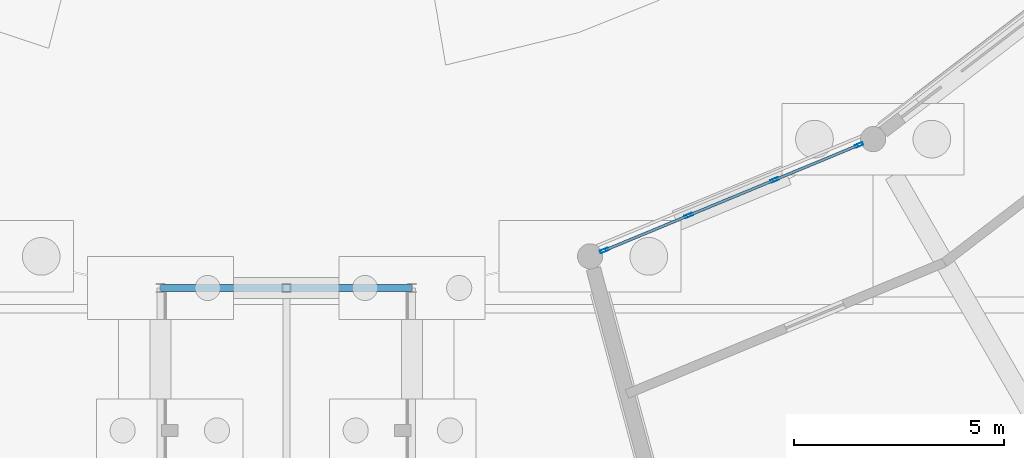
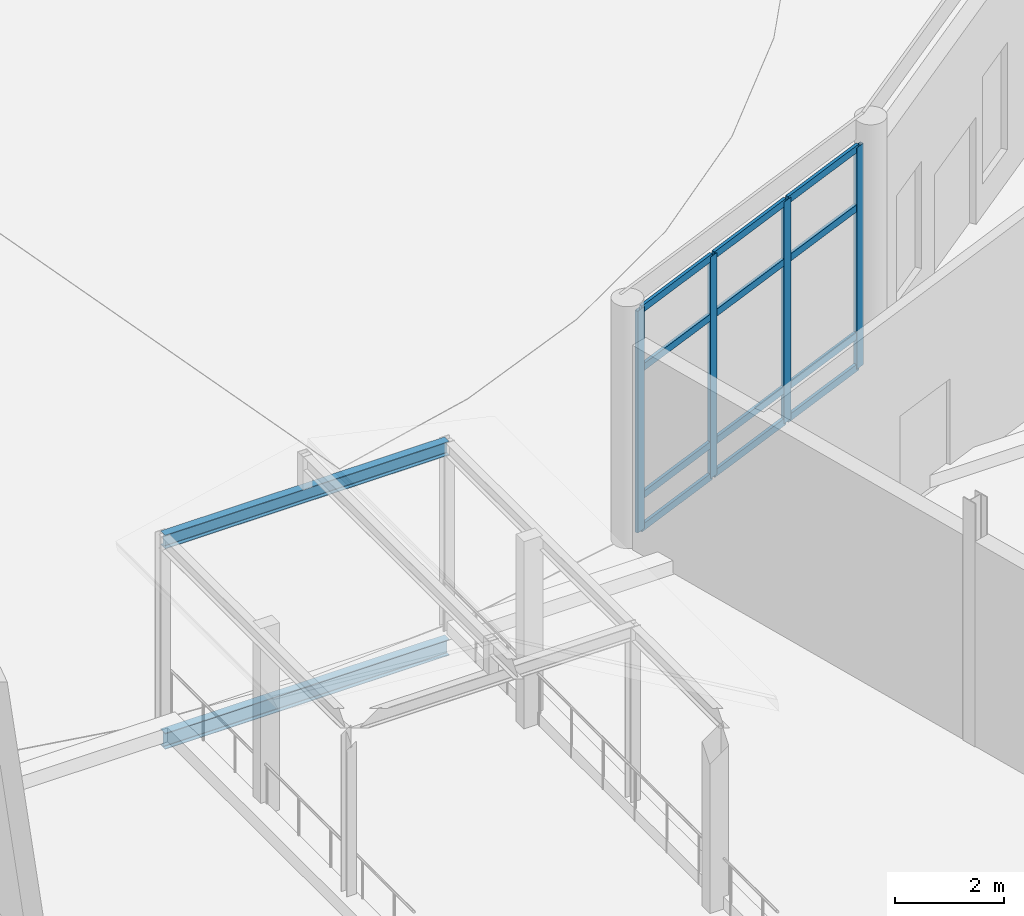
# One storey, part 42 of 137: 16 members, 2 beams, 1 element without a shape of its own.
"""IFC4 building model written with IfcOpenShell, lengths in metres."""

from ifc_helpers import new_model, si_unit, direction, frame, origin, origin_2d, place, context, subcontext, project, spatial, hollow_rectangle, i_section, extrude, material, material_profile, profile_set, type_object, element, aggregate, save


model = new_model("IFC4")

# Units and contexts
model_context = context("Model", 3, precision=1e-05, world=origin(), true_north=direction((0.0, 1.0)))
body_context = subcontext(model_context, "Body", "Model", "MODEL_VIEW")
ifc_project = project(units=[si_unit("LENGTHUNIT", "METRE"), si_unit("AREAUNIT", "SQUARE_METRE"), si_unit("VOLUMEUNIT", "CUBIC_METRE"), si_unit("PLANEANGLEUNIT", "RADIAN"), si_unit("MASSUNIT", "GRAM", prefix="KILO")], contexts=[model_context])

# Site, building, storey
site_placement = place(None, origin())
site = spatial("IfcSite", under=ifc_project, at=site_placement, CompositionType="ELEMENT")
building_placement = place(site_placement, origin())
building = spatial("IfcBuilding", under=site, at=building_placement, Name="Vondelvale Polytechnic", CompositionType="ELEMENT")
storey_placement = place(building_placement, origin())
storey = spatial("IfcBuildingStorey", under=building, at=storey_placement, Name="L00", CompositionType="ELEMENT", Elevation=0.0)

# Beams
ifc_material_1 = material(Name="Steel 300PLUS (fy = 300 MPa)", Category="steel")
ifc_material_profile_1 = material_profile(ifc_material_1, i_section(OverallWidth=0.166015625, OverallDepth=0.306884765625, WebThickness=0.006591796875, FlangeThickness=0.01171875, FilletRadius=0.011474609375, at=origin_2d()), Name="310UB46.2")
ifc_profile_set_1 = profile_set([ifc_material_profile_1], Name="Steel 300PLUS (fy = 300 MPa)")
beam_type_1 = type_object("IfcBeamType", Name="BM-UB310H", PredefinedType="BEAM", material=ifc_profile_set_1)
beam_1_placement = place(storey_placement, frame((99.0, 44.199951171875, 4.026611328125), z_axis=(1.0, 0.0, 0.0), x_axis=(0.0, 1.0, 0.0)))
element("IfcBeam", 1, at=beam_1_placement, inside=storey, type_object=beam_type_1, Name="L00 BC B-16", PredefinedType="BEAM", context=body_context, shape_type="SweptSolid", body=[
    extrude(i_section(OverallWidth=0.166015625, OverallDepth=0.306884765625, WebThickness=0.006591796875, FlangeThickness=0.01171875, FilletRadius=0.011474609375, at=origin_2d()), origin(), (0.0, 0.0, 1.0), 6.0),
])
ifc_material_profile_2 = material_profile(ifc_material_1, i_section(OverallWidth=0.172119140625, OverallDepth=0.35888671875, WebThickness=0.008056640625, FlangeThickness=0.012939453125, FilletRadius=0.011474609375, at=origin_2d()), Name="360UB56.7")
ifc_profile_set_2 = profile_set([ifc_material_profile_2], Name="Steel 300PLUS (fy = 300 MPa)")
beam_type_2 = type_object("IfcBeamType", Name="BM-UB360H", PredefinedType="BEAM", material=ifc_profile_set_2)
beam_2_placement = place(storey_placement, frame((99.0, 44.199951171875, -0.41943359375), z_axis=(1.0, 0.0, 0.0), x_axis=(0.0, 1.0, 0.0)))
element("IfcBeam", 2, at=beam_2_placement, inside=storey, type_object=beam_type_2, Name="L00 BX B-15", PredefinedType="BEAM", context=body_context, shape_type="SweptSolid", body=[
    extrude(i_section(OverallWidth=0.172119140625, OverallDepth=0.35888671875, WebThickness=0.008056640625, FlangeThickness=0.012939453125, FilletRadius=0.011474609375, at=origin_2d()), origin(), (0.0, 0.0, 1.0), 6.0),
])

# Curtain wall, members
ifc_material_2 = material(Name="Anodised extruded aluminium 6063-T6", Category="aluminium")
curtain_wall_type = type_object("IfcCurtainWallType", Name="CW-RING-CLOISTER", PredefinedType="NOTDEFINED", material=ifc_material_2)
curtain_wall_placement = place(storey_placement, origin())
curtain_wall = element("IfcCurtainWall", 3, at=curtain_wall_placement, inside=storey, type_object=curtain_wall_type, Name="L00 architectural curtain wall CW-03-333", PredefinedType="NOTDEFINED")
ifc_material_profile_3 = material_profile(ifc_material_2, hollow_rectangle(XDim=0.070068359375, YDim=0.199951171875, WallThickness=0.00390625, at=origin_2d()), Name="CW-MUL-200x70")
ifc_profile_set_3 = profile_set([ifc_material_profile_3], Name="Anodised extruded aluminium 6063-T6")
member_type_1 = type_object("IfcMemberType", Name="CW-MUL-70x200", PredefinedType="MULLION", material=ifc_profile_set_3)
member_1_placement = place(storey_placement, frame((109.584228515625, 45.09375, 0.0), z_axis=(0.0, 0.0, 1.0), x_axis=(-0.382678531697, 0.923881562419, 0.0)))
member_1 = element("IfcMember", 4, at=member_1_placement, type_object=member_type_1, Name="CW-03-333 mullion 1", PredefinedType="MULLION", context=body_context, shape_type="SweptSolid", body=[
    extrude(hollow_rectangle(XDim=0.070068359375, YDim=0.199951171875, WallThickness=0.00390625, at=origin_2d()), origin(), (0.0, 0.0, 1.0), 4.949951171875),
])
member_2_placement = place(storey_placement, frame((111.599609375, 45.9287109375, 0.0), z_axis=(0.0, 0.0, 1.0), x_axis=(-0.382678531697, 0.923881562419, 0.0)))
member_2 = element("IfcMember", 5, at=member_2_placement, type_object=member_type_1, Name="CW-03-333 mullion 2", PredefinedType="MULLION", context=body_context, shape_type="SweptSolid", body=[
    extrude(hollow_rectangle(XDim=0.070068359375, YDim=0.199951171875, WallThickness=0.00390625, at=origin_2d()), origin(), (0.0, 0.0, 1.0), 4.949951171875),
])
member_3_placement = place(storey_placement, frame((113.647216796875, 46.77685546875, 0.0), z_axis=(0.0, 0.0, 1.0), x_axis=(-0.382678531697, 0.923881562419, 0.0)))
member_3 = element("IfcMember", 6, at=member_3_placement, type_object=member_type_1, Name="CW-03-333 mullion 3", PredefinedType="MULLION", context=body_context, shape_type="SweptSolid", body=[
    extrude(hollow_rectangle(XDim=0.070068359375, YDim=0.199951171875, WallThickness=0.00390625, at=origin_2d()), origin(), (0.0, 0.0, 1.0), 4.949951171875),
])
member_4_placement = place(storey_placement, frame((115.662841796875, 47.611572265625, 0.0), z_axis=(0.0, 0.0, 1.0), x_axis=(-0.382678531697, 0.923881562419, 0.0)))
member_4 = element("IfcMember", 7, at=member_4_placement, type_object=member_type_1, Name="CW-03-333 mullion 4", PredefinedType="MULLION", context=body_context, shape_type="SweptSolid", body=[
    extrude(hollow_rectangle(XDim=0.070068359375, YDim=0.199951171875, WallThickness=0.00390625, at=origin_2d()), origin(), (0.0, 0.0, 1.0), 4.949951171875),
])
ifc_material_profile_4 = material_profile(ifc_material_2, hollow_rectangle(XDim=0.06494140625, YDim=0.159912109375, WallThickness=0.00341796875, at=origin_2d()), Name="CW-TRN-160x65")
ifc_profile_set_4 = profile_set([ifc_material_profile_4], Name="Anodised extruded aluminium 6063-T6")
member_type_2 = type_object("IfcMemberType", Name="CW-TRN-70x160", PredefinedType="USERDEFINED", material=ifc_profile_set_4)
member_5_placement = place(storey_placement, frame((109.616455078125, 45.107177734375, 0.032470703125), z_axis=(0.923861804277, 0.382726229306, 0.0), x_axis=(-0.382726229306, 0.923861804277, 0.0)))
member_5 = element("IfcMember", 8, at=member_5_placement, type_object=member_type_2, Name="CW-03-333 transom 1.1", ObjectType="TRANSOM", PredefinedType="USERDEFINED", context=body_context, shape_type="SweptSolid", body=[
    extrude(hollow_rectangle(XDim=0.06494140625, YDim=0.159912109375, WallThickness=0.00341796875, at=origin_2d()), origin(), (0.0, 0.0, 1.0), 2.111328125),
])
member_6_placement = place(storey_placement, frame((109.616455078125, 45.107177734375, 0.75), z_axis=(0.923861804277, 0.382726229306, 0.0), x_axis=(-0.382726229306, 0.923861804277, 0.0)))
member_6 = element("IfcMember", 9, at=member_6_placement, type_object=member_type_2, Name="CW-03-333 transom 1.2", ObjectType="TRANSOM", PredefinedType="USERDEFINED", context=body_context, shape_type="SweptSolid", body=[
    extrude(hollow_rectangle(XDim=0.06494140625, YDim=0.159912109375, WallThickness=0.00341796875, at=origin_2d()), origin(), (0.0, 0.0, 1.0), 2.111328125),
])
member_7_placement = place(storey_placement, frame((109.616455078125, 45.107177734375, 3.60009765625), z_axis=(0.923861804277, 0.382726229306, 0.0), x_axis=(-0.382726229306, 0.923861804277, 0.0)))
member_7 = element("IfcMember", 10, at=member_7_placement, type_object=member_type_2, Name="CW-03-333 transom 1.3", ObjectType="TRANSOM", PredefinedType="USERDEFINED", context=body_context, shape_type="SweptSolid", body=[
    extrude(hollow_rectangle(XDim=0.06494140625, YDim=0.159912109375, WallThickness=0.00341796875, at=origin_2d()), origin(), (0.0, 0.0, 1.0), 2.111328125),
])
member_8_placement = place(storey_placement, frame((109.616455078125, 45.107177734375, 4.91748046875), z_axis=(0.923861804277, 0.382726229306, 0.0), x_axis=(-0.382726229306, 0.923861804277, 0.0)))
member_8 = element("IfcMember", 11, at=member_8_placement, type_object=member_type_2, Name="CW-03-333 transom 1.4", ObjectType="TRANSOM", PredefinedType="USERDEFINED", context=body_context, shape_type="SweptSolid", body=[
    extrude(hollow_rectangle(XDim=0.06494140625, YDim=0.159912109375, WallThickness=0.00341796875, at=origin_2d()), origin(), (0.0, 0.0, 1.0), 2.111328125),
])
member_9_placement = place(storey_placement, frame((111.6318359375, 45.94189453125, 0.032470703125), z_axis=(0.923865730094, 0.382716752649, 0.0), x_axis=(-0.382716752649, 0.923865730094, 0.0)))
member_9 = element("IfcMember", 12, at=member_9_placement, type_object=member_type_2, Name="CW-03-333 transom 2.1", ObjectType="TRANSOM", PredefinedType="USERDEFINED", context=body_context, shape_type="SweptSolid", body=[
    extrude(hollow_rectangle(XDim=0.06494140625, YDim=0.159912109375, WallThickness=0.00341796875, at=origin_2d()), origin(), (0.0, 0.0, 1.0), 2.146484375),
])
member_10_placement = place(storey_placement, frame((111.6318359375, 45.94189453125, 0.75), z_axis=(0.923865730094, 0.382716752649, 0.0), x_axis=(-0.382716752649, 0.923865730094, 0.0)))
member_10 = element("IfcMember", 13, at=member_10_placement, type_object=member_type_2, Name="CW-03-333 transom 2.2", ObjectType="TRANSOM", PredefinedType="USERDEFINED", context=body_context, shape_type="SweptSolid", body=[
    extrude(hollow_rectangle(XDim=0.06494140625, YDim=0.159912109375, WallThickness=0.00341796875, at=origin_2d()), origin(), (0.0, 0.0, 1.0), 2.146484375),
])
member_11_placement = place(storey_placement, frame((111.6318359375, 45.94189453125, 3.60009765625), z_axis=(0.923865730094, 0.382716752649, 0.0), x_axis=(-0.382716752649, 0.923865730094, 0.0)))
member_11 = element("IfcMember", 14, at=member_11_placement, type_object=member_type_2, Name="CW-03-333 transom 2.3", ObjectType="TRANSOM", PredefinedType="USERDEFINED", context=body_context, shape_type="SweptSolid", body=[
    extrude(hollow_rectangle(XDim=0.06494140625, YDim=0.159912109375, WallThickness=0.00341796875, at=origin_2d()), origin(), (0.0, 0.0, 1.0), 2.146484375),
])
member_12_placement = place(storey_placement, frame((111.6318359375, 45.94189453125, 4.91748046875), z_axis=(0.923865730094, 0.382716752649, 0.0), x_axis=(-0.382716752649, 0.923865730094, 0.0)))
member_12 = element("IfcMember", 15, at=member_12_placement, type_object=member_type_2, Name="CW-03-333 transom 2.4", ObjectType="TRANSOM", PredefinedType="USERDEFINED", context=body_context, shape_type="SweptSolid", body=[
    extrude(hollow_rectangle(XDim=0.06494140625, YDim=0.159912109375, WallThickness=0.00341796875, at=origin_2d()), origin(), (0.0, 0.0, 1.0), 2.146484375),
])
member_13_placement = place(storey_placement, frame((113.6796875, 46.790283203125, 0.032470703125), z_axis=(0.923902685011, 0.382627532503, 0.0), x_axis=(-0.382627532503, 0.923902685011, 0.0)))
member_13 = element("IfcMember", 16, at=member_13_placement, type_object=member_type_2, Name="CW-03-333 transom 3.1", ObjectType="TRANSOM", PredefinedType="USERDEFINED", context=body_context, shape_type="SweptSolid", body=[
    extrude(hollow_rectangle(XDim=0.06494140625, YDim=0.159912109375, WallThickness=0.00341796875, at=origin_2d()), origin(), (0.0, 0.0, 1.0), 2.111328125),
])
member_14_placement = place(storey_placement, frame((113.6796875, 46.790283203125, 0.75), z_axis=(0.923902685011, 0.382627532503, 0.0), x_axis=(-0.382627532503, 0.923902685011, 0.0)))
member_14 = element("IfcMember", 17, at=member_14_placement, type_object=member_type_2, Name="CW-03-333 transom 3.2", ObjectType="TRANSOM", PredefinedType="USERDEFINED", context=body_context, shape_type="SweptSolid", body=[
    extrude(hollow_rectangle(XDim=0.06494140625, YDim=0.159912109375, WallThickness=0.00341796875, at=origin_2d()), origin(), (0.0, 0.0, 1.0), 2.111328125),
])
member_15_placement = place(storey_placement, frame((113.6796875, 46.790283203125, 3.60009765625), z_axis=(0.923902685011, 0.382627532503, 0.0), x_axis=(-0.382627532503, 0.923902685011, 0.0)))
member_15 = element("IfcMember", 18, at=member_15_placement, type_object=member_type_2, Name="CW-03-333 transom 3.3", ObjectType="TRANSOM", PredefinedType="USERDEFINED", context=body_context, shape_type="SweptSolid", body=[
    extrude(hollow_rectangle(XDim=0.06494140625, YDim=0.159912109375, WallThickness=0.00341796875, at=origin_2d()), origin(), (0.0, 0.0, 1.0), 2.111328125),
])
member_16_placement = place(storey_placement, frame((113.6796875, 46.790283203125, 4.91748046875), z_axis=(0.923902685011, 0.382627532503, 0.0), x_axis=(-0.382627532503, 0.923902685011, 0.0)))
member_16 = element("IfcMember", 19, at=member_16_placement, type_object=member_type_2, Name="CW-03-333 transom 3.4", ObjectType="TRANSOM", PredefinedType="USERDEFINED", context=body_context, shape_type="SweptSolid", body=[
    extrude(hollow_rectangle(XDim=0.06494140625, YDim=0.159912109375, WallThickness=0.00341796875, at=origin_2d()), origin(), (0.0, 0.0, 1.0), 2.111328125),
])
aggregate(curtain_wall, [member_1, member_2, member_3, member_4, member_5, member_6, member_7, member_8, member_9, member_10, member_11, member_12, member_13, member_14, member_15, member_16])

save(model, "model.ifc")
